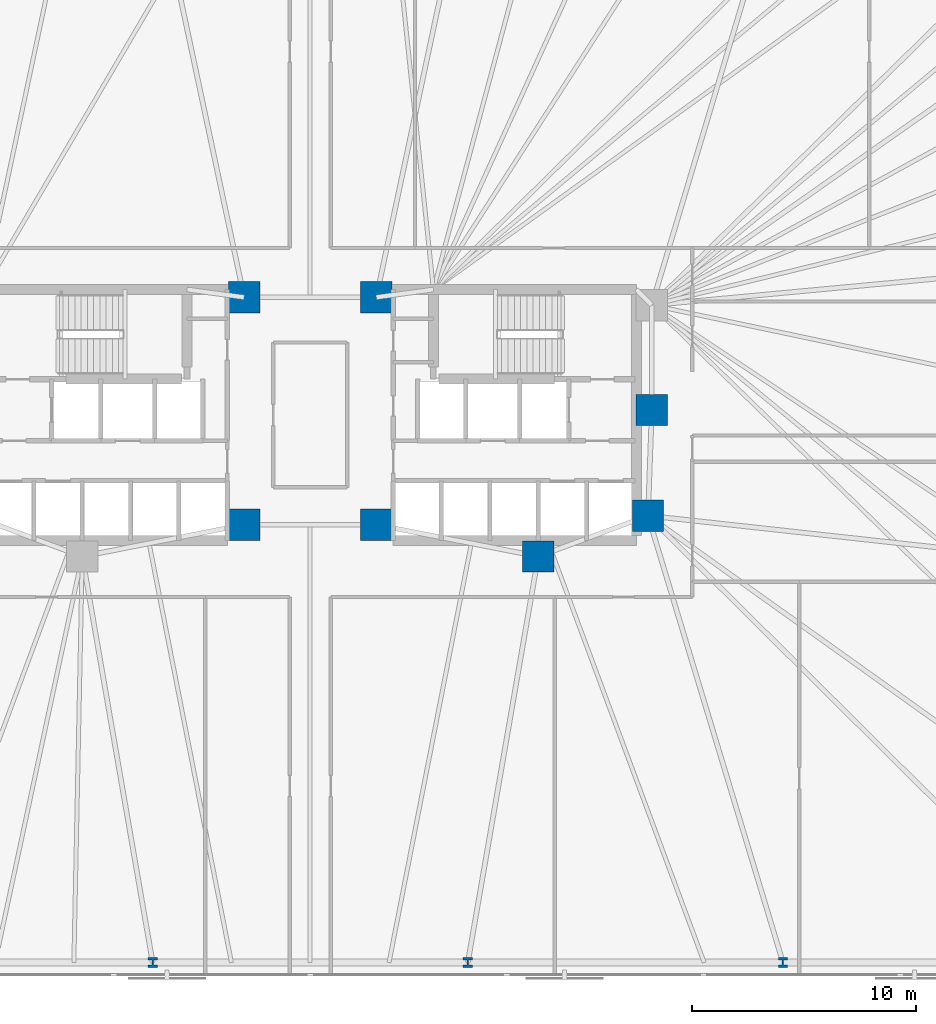
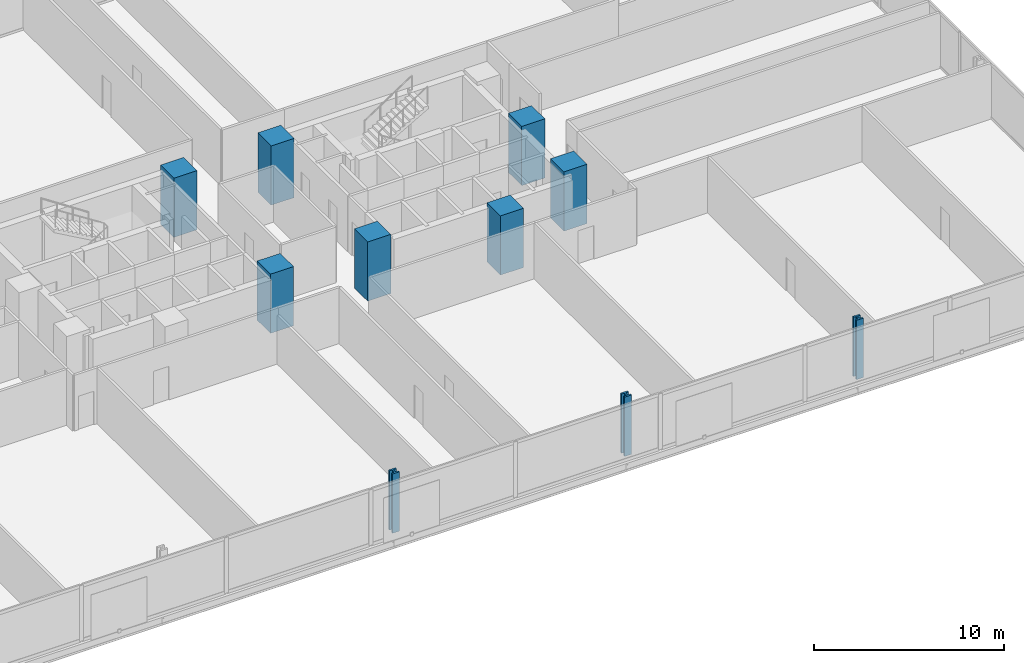
# One storey, part 3 of 17: 10 columns.
"""IFC4 building model written with IfcOpenShell, lengths in metres."""

from ifc_helpers import new_model, si_unit, direction, frame, origin, origin_2d, place, context, subcontext, project, spatial, rectangle, i_section, extrude, material, material_profile, profile_set, type_object, element, save


model = new_model("IFC4")

# Units and contexts
model_context = context("Model", 3, precision=1e-05, world=origin(), true_north=direction((0.0, 1.0)))
body_context = subcontext(model_context, "Body", "Model", "MODEL_VIEW")
ifc_project = project(units=[si_unit("LENGTHUNIT", "METRE"), si_unit("AREAUNIT", "SQUARE_METRE"), si_unit("VOLUMEUNIT", "CUBIC_METRE"), si_unit("PLANEANGLEUNIT", "RADIAN"), si_unit("MASSUNIT", "GRAM", prefix="KILO")], contexts=[model_context])

# Site, building, storey
site_placement = place(None, origin())
site = spatial("IfcSite", under=ifc_project, at=site_placement, CompositionType="ELEMENT")
building_placement = place(site_placement, origin())
building = spatial("IfcBuilding", under=site, at=building_placement, Name="Menara Jurai Vektor", CompositionType="ELEMENT")
storey_placement = place(building_placement, frame((0.0, 0.0, 56.0)))
storey = spatial("IfcBuildingStorey", under=building, at=storey_placement, Name="L13", CompositionType="ELEMENT", Elevation=56.0)

# Columns
ifc_material_1 = material(Name="Concrete C60/75", Category="concrete")
ifc_material_profile_1 = material_profile(ifc_material_1, rectangle(XDim=1.39990234375, YDim=1.39990234375, at=origin_2d()), Name="RC 1400x1400")
ifc_profile_set_1 = profile_set([ifc_material_profile_1], Name="Concrete C60/75")
column_type_1 = type_object("IfcColumnType", Name="STR-COL-RC1400", PredefinedType="COLUMN", material=ifc_profile_set_1)
for number, where, z_axis, x_axis, name in (
    (1, (-2.949951171875, -4.89990234375, 0.0), (0.0, 0.0, 1.0), (1.0, 0.0, 0.0), "Core Spine Column CW-SE L13"),
    (2, (-2.949951171875, 5.25, 0.0), (0.0, 0.0, 1.0), (1.0, 0.0, 0.0), "Core Spine Column CW-NE L13"),
    (3, (15.25, 0.219970703125, 0.0), (0.0, 0.0, 1.0), (1.0, 0.0, 0.0), "Core Spine Column CE-EM L13"),
    (4, (15.080078125, -4.5, 0.0), (0.0, 0.0, 1.0), (1.0, 0.0, 0.0), "Core Spine Column CE-SE L13"),
    (5, (10.179931640625, -6.320068359375, 0.0), (0.0, 0.0, 1.0), (1.0, 0.0, 0.0), "Core Spine Column CE-SM L13"),
    (6, (2.949951171875, -4.89990234375, 0.0), (0.0, 0.0, 1.0), (1.0, 0.0, 0.0), "Core Spine Column CE-SW L13"),
    (7, (2.949951171875, 5.25, 0.0), (0.0, 0.0, 1.0), (1.0, 0.0, 0.0), "Core Spine Column CE-NW L13"),
):
    element("IfcColumn", number, at=place(storey_placement, frame(where, z_axis=z_axis, x_axis=x_axis)), inside=storey, type_object=column_type_1, Name=name, PredefinedType="COLUMN", context=body_context, shape_type="SweptSolid", body=[
        extrude(rectangle(XDim=1.39990234375, YDim=1.39990234375, at=origin_2d()), origin(), (0.0, 0.0, 1.0), 3.800048828125),
    ])
ifc_material_2 = material(Name="Steel S460", Category="steel")
ifc_material_profile_2 = material_profile(ifc_material_2, i_section(OverallWidth=0.419921875, OverallDepth=0.430908203125, WebThickness=0.06494140625, FlangeThickness=0.10595703125, FilletRadius=0.014892578125, at=origin_2d()), Name="HD 400x900")
ifc_profile_set_2 = profile_set([ifc_material_profile_2], Name="Steel S460")
column_type_2 = type_object("IfcColumnType", Name="STR-EXO-BLK1", PredefinedType="COLUMN", material=ifc_profile_set_2)
for number, where, z_axis, x_axis, name in (
    (8, (-7.03564453125, -24.449951171875, 0.0), (0.0, 0.0, 1.0), (1.0, 0.0, 0.0), "Exoskeleton Column BLK1-S3 L13"),
    (9, (7.03564453125, -24.449951171875, 0.0), (0.0, 0.0, 1.0), (1.0, 0.0, 0.0), "Exoskeleton Column BLK1-S4 L13"),
    (10, (21.106689453125, -24.449951171875, 0.0), (0.0, 0.0, 1.0), (1.0, 0.0, 0.0), "Exoskeleton Column BLK1-S5 L13"),
):
    element("IfcColumn", number, at=place(storey_placement, frame(where, z_axis=z_axis, x_axis=x_axis)), inside=storey, type_object=column_type_2, Name=name, PredefinedType="COLUMN", context=body_context, shape_type="SweptSolid", body=[
        extrude(i_section(OverallWidth=0.419921875, OverallDepth=0.430908203125, WebThickness=0.06494140625, FlangeThickness=0.10595703125, FilletRadius=0.014892578125, at=origin_2d()), origin(), (0.0, 0.0, 1.0), 3.800048828125),
    ])

save(model, "model.ifc")
